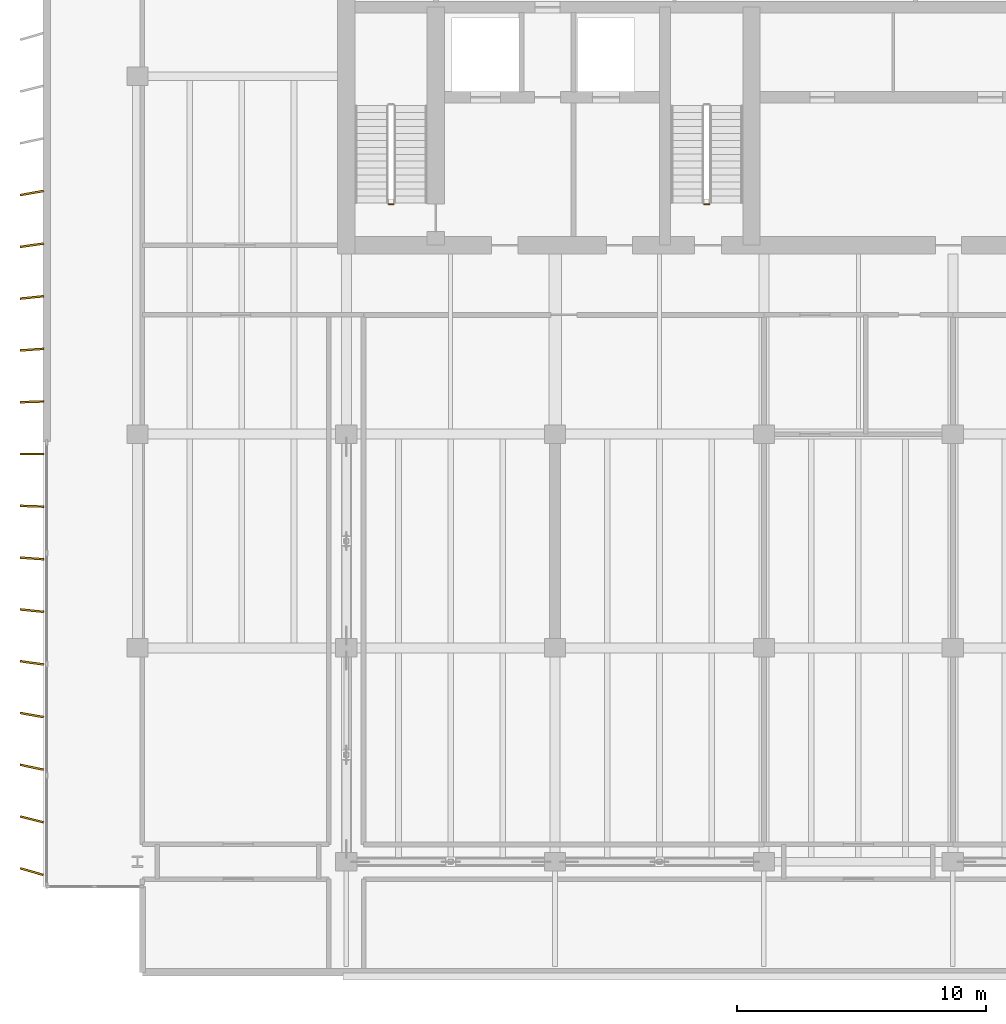
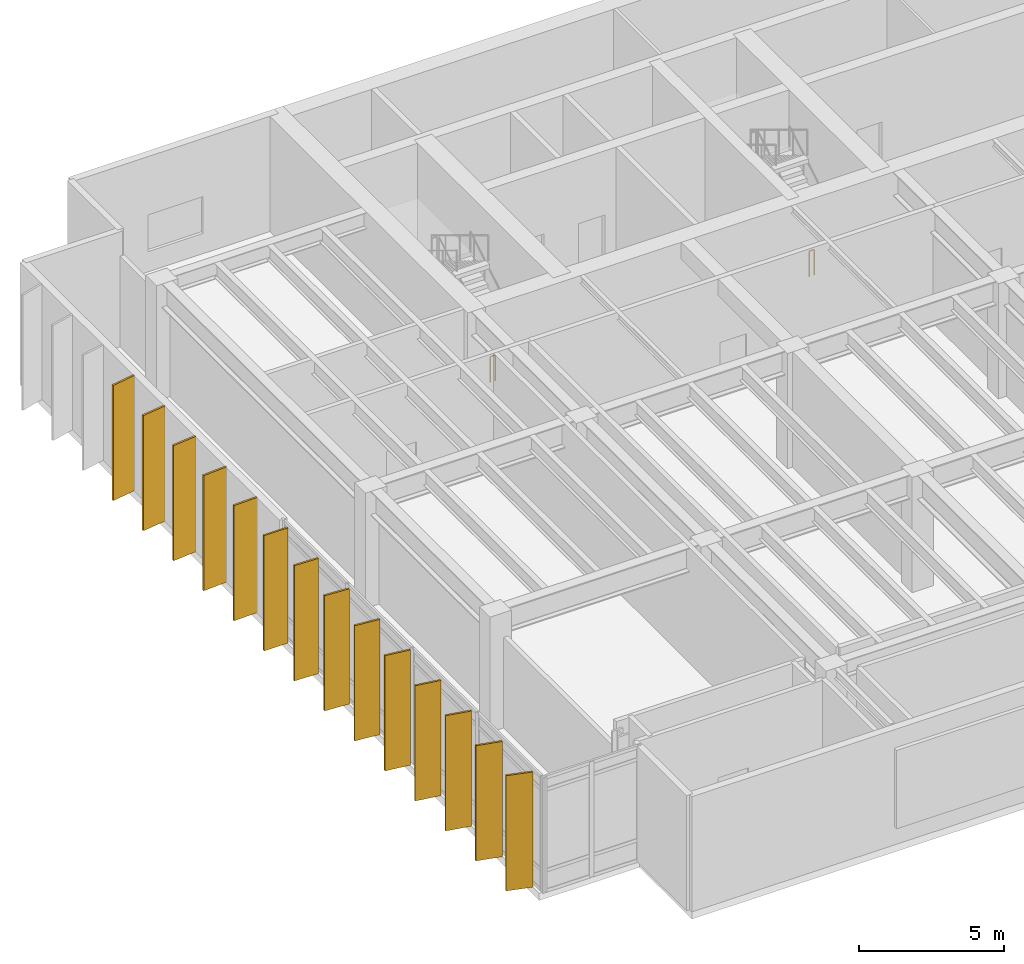
# One storey, part 19 of 23: 14 shading devices, 2 railings.
"""IFC4 building model written with IfcOpenShell, lengths in metres."""

from ifc_helpers import new_model, si_unit, direction, frame, origin, origin_2d, place, context, subcontext, project, spatial, rectangle, circle, extrude, material, material_profile, profile_set, type_object, element, save


model = new_model("IFC4")

# Units and contexts
model_context = context("Model", 3, precision=1e-05, world=origin(), true_north=direction((0.0, 1.0)))
body_context = subcontext(model_context, "Body", "Model", "MODEL_VIEW")
ifc_project = project(units=[si_unit("LENGTHUNIT", "METRE"), si_unit("AREAUNIT", "SQUARE_METRE"), si_unit("VOLUMEUNIT", "CUBIC_METRE"), si_unit("PLANEANGLEUNIT", "RADIAN"), si_unit("MASSUNIT", "GRAM", prefix="KILO")], contexts=[model_context])

# Site, building, storey
site_placement = place(None, origin())
site = spatial("IfcSite", under=ifc_project, at=site_placement, CompositionType="ELEMENT")
building_placement = place(site_placement, origin())
building = spatial("IfcBuilding", under=site, at=building_placement, Name="Caelmar Bay Residences", CompositionType="ELEMENT")
storey_placement = place(building_placement, frame((0.0, 0.0, 221.39990234375)))
storey = spatial("IfcBuildingStorey", under=building, at=storey_placement, Name="L62", CompositionType="ELEMENT", Elevation=221.39990234375)

# Railings
ifc_material_1 = material(Name="Painted galvanized steel stair guard 1100 mm", Category="steel")
railing_type = type_object("IfcRailingType", Name="RL-GRD-1100", PredefinedType="GUARDRAIL", material=ifc_material_1)
for number, where, name in (
    (1, (20.199951171875, 38.64990234375, 0.0), "L62 ST1 stair guard 4"),
    (2, (32.89990234375, 38.64990234375, 0.0), "L62 ST3 stair guard 4"),
):
    element("IfcRailing", number, at=place(storey_placement, frame(where)), inside=storey, type_object=railing_type, Name=name, PredefinedType="GUARDRAIL", context=body_context, shape_type="SweptSolid", body=[
        extrude(circle(Radius=0.02392578125, at=origin_2d()), frame((0.0, 0.0, 1.076171875), z_axis=(-1.0, 0.0, 0.0), x_axis=(0.0, -1.0, 0.0)), (0.0, 0.0, 1.0), 0.199951171875),
        extrude(circle(Radius=0.02099609375, at=origin_2d()), origin(), (0.0, 0.0, 1.0), 1.052001953125),
        extrude(circle(Radius=0.02099609375, at=origin_2d()), frame((-0.199951171875, 0.0, 0.0)), (0.0, 0.0, 1.0), 1.052001953125),
    ])

# Shading devices
ifc_material_2 = material(Name="Anodised architectural bronze aluminium 6063-T6", Category="aluminium")
ifc_material_profile = material_profile(ifc_material_2, rectangle(XDim=0.074951171875, YDim=0.949951171875, at=origin_2d()), Name="BRONZE-FIN-75X950")
ifc_profile_set = profile_set([ifc_material_profile], Name="Anodised architectural bronze aluminium 6063-T6")
shading_device_type = type_object("IfcShadingDeviceType", Name="SHD-FIN-950", PredefinedType="USERDEFINED", material=ifc_profile_set)
for number, where, z_axis, x_axis, name in (
    (3, (5.64990234375, 11.800048828125, 0.0), (0.0, 0.0, 1.0), (0.275637355817, 0.961261695938, 0.0), "L62 West Bronze Solar Fin 1"),
    (4, (5.64990234375, 13.89990234375, 0.0), (0.0, 0.0, 1.0), (0.2419218956, 0.970295726276, 0.0), "L62 West Bronze Solar Fin 2"),
    (5, (5.64990234375, 16.0, 0.0), (0.0, 0.0, 1.0), (0.207911690818, 0.978147600734, 0.0), "L62 West Bronze Solar Fin 3"),
    (6, (5.64990234375, 18.10009765625, 0.0), (0.0, 0.0, 1.0), (0.173648177667, 0.984807753012, 0.0), "L62 West Bronze Solar Fin 4"),
    (7, (5.64990234375, 20.199951171875, 0.0), (0.0, 0.0, 1.0), (0.13917310096, 0.990268068742, 0.0), "L62 West Bronze Solar Fin 5"),
    (8, (5.64990234375, 22.300048828125, 0.0), (0.0, 0.0, 1.0), (0.104528463268, 0.994521895368, 0.0), "L62 West Bronze Solar Fin 6"),
    (9, (5.64990234375, 24.39990234375, 0.0), (0.0, 0.0, 1.0), (0.069756473744, 0.99756405026, 0.0), "L62 West Bronze Solar Fin 7"),
    (10, (5.64990234375, 26.5, 0.0), (0.0, 0.0, 1.0), (0.034899496703, 0.999390827019, 0.0), "L62 West Bronze Solar Fin 8"),
    (11, (5.64990234375, 28.60009765625, 0.0), (0.0, 0.0, 1.0), (0.0, 1.0, 0.0), "L62 West Bronze Solar Fin 9"),
    (12, (5.64990234375, 30.699951171875, 0.0), (0.0, 0.0, 1.0), (-0.034899496703, 0.999390827019, 0.0), "L62 West Bronze Solar Fin 10"),
    (13, (5.64990234375, 32.800048828125, 0.0), (0.0, 0.0, 1.0), (-0.069756473744, 0.99756405026, 0.0), "L62 West Bronze Solar Fin 11"),
    (14, (5.64990234375, 34.89990234375, 0.0), (0.0, 0.0, 1.0), (-0.104528463268, 0.994521895368, 0.0), "L62 West Bronze Solar Fin 12"),
    (15, (5.64990234375, 37.0, 0.0), (0.0, 0.0, 1.0), (-0.13917310096, 0.990268068742, 0.0), "L62 West Bronze Solar Fin 13"),
    (16, (5.64990234375, 39.10009765625, 0.0), (0.0, 0.0, 1.0), (-0.173648177667, 0.984807753012, 0.0), "L62 West Bronze Solar Fin 14"),
):
    element("IfcShadingDevice", number, at=place(storey_placement, frame(where, z_axis=z_axis, x_axis=x_axis)), inside=storey, type_object=shading_device_type, Name=name, ObjectType="FIN", PredefinedType="USERDEFINED", context=body_context, shape_type="SweptSolid", body=[
        extrude(rectangle(XDim=0.074951171875, YDim=0.949951171875, at=origin_2d()), origin(), (0.0, 0.0, 1.0), 4.85009765625),
    ])

save(model, "model.ifc")
